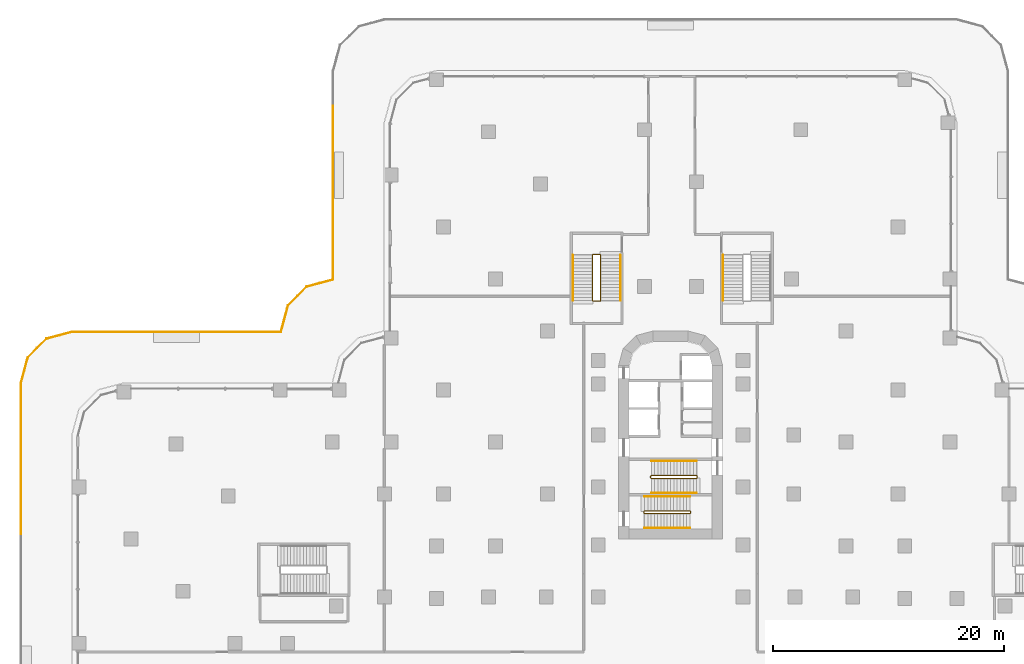
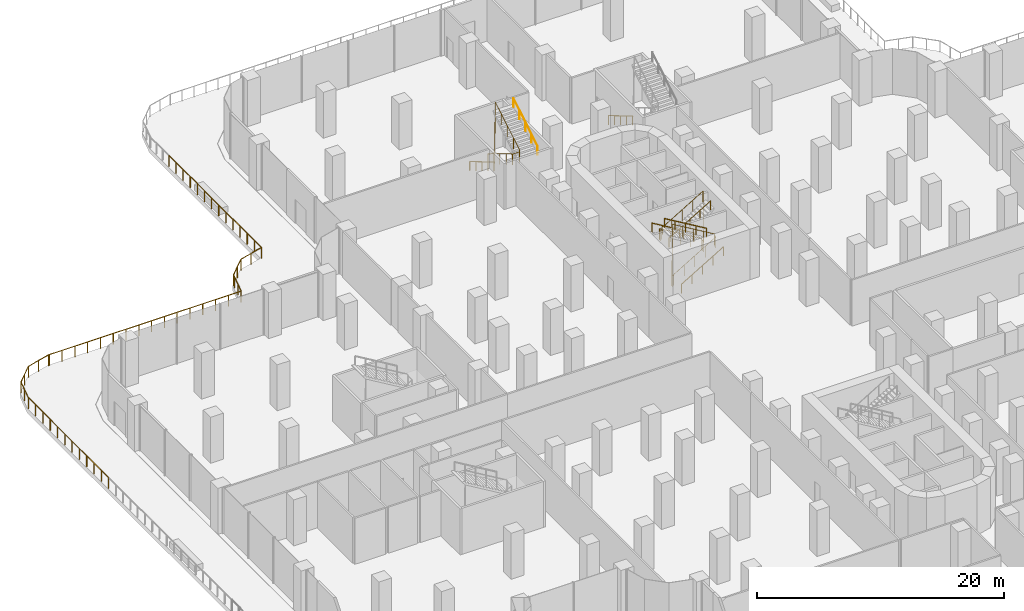
# One storey, part 27 of 30: 13 railings.
"""IFC4 building model written with IfcOpenShell, lengths in metres."""

from ifc_helpers import new_model, si_unit, direction, frame, origin, origin_2d, place, context, subcontext, project, spatial, circle, extrude, material, type_object, element, save


model = new_model("IFC4")

# Units and contexts
model_context = context("Model", 3, precision=1e-05, world=origin(), true_north=direction((0.0, 1.0)))
body_context = subcontext(model_context, "Body", "Model", "MODEL_VIEW")
ifc_project = project(units=[si_unit("LENGTHUNIT", "METRE"), si_unit("AREAUNIT", "SQUARE_METRE"), si_unit("VOLUMEUNIT", "CUBIC_METRE"), si_unit("PLANEANGLEUNIT", "RADIAN"), si_unit("MASSUNIT", "GRAM", prefix="KILO")], contexts=[model_context])

# Site, building, storey
site_placement = place(None, origin())
site = spatial("IfcSite", under=ifc_project, at=site_placement, CompositionType="ELEMENT")
building_placement = place(site_placement, origin())
building = spatial("IfcBuilding", under=site, at=building_placement, Name="Zarbagh Exchange Tower", CompositionType="ELEMENT")
storey_placement = place(building_placement, frame((0.0, 0.0, 7.0)))
storey = spatial("IfcBuildingStorey", under=building, at=storey_placement, Name="L01", CompositionType="ELEMENT", Elevation=7.0)

# Railings
ifc_material_1 = material(Name="Stainless steel", Category="steel")
railing_type_1 = type_object("IfcRailingType", Name="Stair guard 1100 mm", PredefinedType="GUARDRAIL", material=ifc_material_1)
railing_1_placement = place(storey_placement, frame((-1.669921875, 16.5, 2.666748046875)))
element("IfcRailing", 1, at=railing_1_placement, inside=storey, type_object=railing_type_1, Name="ST1 stair guard 1", PredefinedType="GUARDRAIL", context=body_context, shape_type="SweptSolid", body=[
    extrude(circle(Radius=0.02392578125, at=origin_2d()), frame((0.0, 0.0, 1.076171875), z_axis=(0.859296244711, 0.0, 0.511478214419), x_axis=(0.0, 1.0, 0.0)), (0.0, 0.0, 1.0), 4.561767578125),
    extrude(circle(Radius=0.02392578125, at=origin_2d()), frame((3.919921875, 0.0, 3.4091796875), z_axis=(0.010008762843, 0.010008762843, -0.999899819648), x_axis=(-0.707106781187, 0.707106781187, 0.0)), (0.0, 0.0, 1.0), 5.00048828125),
    extrude(circle(Radius=0.02392578125, at=origin_2d()), frame((3.969970703125, 0.050048828125, -1.5908203125), z_axis=(0.0, 1.0, 0.0), x_axis=(-1.0, 0.0, 0.0)), (0.0, 0.0, 1.0), 0.14990234375),
    extrude(circle(Radius=0.02392578125, at=origin_2d()), frame((3.969970703125, 0.199951171875, -1.5908203125), z_axis=(-0.27628659633, 0.27628659633, 0.920506074601), x_axis=(-0.707106781187, -0.707106781187, 0.0)), (0.0, 0.0, 1.0), 0.18115234375),
    extrude(circle(Radius=0.02392578125, at=origin_2d()), frame((3.919921875, 0.25, -1.423828125), z_axis=(-0.859296244711, 0.0, 0.511478214419), x_axis=(0.0, -1.0, 0.0)), (0.0, 0.0, 1.0), 4.561767578125),
    extrude(circle(Radius=0.02392578125, at=origin_2d()), frame((0.0, 0.25, 0.9091796875), z_axis=(-0.707106781187, -0.707106781187, 0.0), x_axis=(0.707106781187, -0.707106781187, 0.0)), (0.0, 0.0, 1.0), 0.07080078125),
    extrude(circle(Radius=0.02392578125, at=origin_2d()), frame((-0.050048828125, 0.199951171875, 0.9091796875), z_axis=(0.0, -1.0, 0.0), x_axis=(1.0, 0.0, 0.0)), (0.0, 0.0, 1.0), 0.14990234375),
    extrude(circle(Radius=0.02099609375, at=origin_2d()), origin(), (0.0, 0.0, 1.0), 1.052001953125),
    extrude(circle(Radius=0.02099609375, at=origin_2d()), frame((0.97998046875, 0.0, 0.583251953125)), (0.0, 0.0, 1.0), 1.052001953125),
    extrude(circle(Radius=0.02099609375, at=origin_2d()), frame((1.9599609375, 0.0, 1.16650390625)), (0.0, 0.0, 1.0), 1.052001953125),
    extrude(circle(Radius=0.02099609375, at=origin_2d()), frame((2.93994140625, 0.0, 1.75)), (0.0, 0.0, 1.0), 1.052001953125),
    extrude(circle(Radius=0.02099609375, at=origin_2d()), frame((3.919921875, 0.0, 2.333251953125)), (0.0, 0.0, 1.0), 1.052001953125),
    extrude(circle(Radius=0.02099609375, at=origin_2d()), frame((3.929931640625, 0.010009765625, 1.333251953125)), (0.0, 0.0, 1.0), 1.052001953125),
    extrude(circle(Radius=0.02099609375, at=origin_2d()), frame((3.93994140625, 0.02001953125, 0.333251953125)), (0.0, 0.0, 1.0), 1.052001953125),
    extrude(circle(Radius=0.02099609375, at=origin_2d()), frame((3.949951171875, 0.030029296875, -0.666748046875)), (0.0, 0.0, 1.0), 1.052001953125),
    extrude(circle(Radius=0.02099609375, at=origin_2d()), frame((3.9599609375, 0.0400390625, -1.666748046875)), (0.0, 0.0, 1.0), 1.052001953125),
    extrude(circle(Radius=0.02099609375, at=origin_2d()), frame((3.969970703125, 0.050048828125, -2.666748046875)), (0.0, 0.0, 1.0), 1.052001953125),
    extrude(circle(Radius=0.02099609375, at=origin_2d()), frame((3.969970703125, 0.199951171875, -2.666748046875)), (0.0, 0.0, 1.0), 1.052001953125),
    extrude(circle(Radius=0.02099609375, at=origin_2d()), frame((3.919921875, 0.25, -2.5)), (0.0, 0.0, 1.0), 1.052001953125),
    extrude(circle(Radius=0.02099609375, at=origin_2d()), frame((2.93994140625, 0.25, -1.916748046875)), (0.0, 0.0, 1.0), 1.052001953125),
    extrude(circle(Radius=0.02099609375, at=origin_2d()), frame((1.9599609375, 0.25, -1.33349609375)), (0.0, 0.0, 1.0), 1.052001953125),
    extrude(circle(Radius=0.02099609375, at=origin_2d()), frame((0.97998046875, 0.25, -0.75)), (0.0, 0.0, 1.0), 1.052001953125),
    extrude(circle(Radius=0.02099609375, at=origin_2d()), frame((0.0, 0.25, -0.166748046875)), (0.0, 0.0, 1.0), 1.052001953125),
    extrude(circle(Radius=0.02099609375, at=origin_2d()), frame((-0.050048828125, 0.199951171875, -0.166748046875)), (0.0, 0.0, 1.0), 1.052001953125),
    extrude(circle(Radius=0.02099609375, at=origin_2d()), frame((-0.050048828125, 0.050048828125, -0.166748046875)), (0.0, 0.0, 1.0), 1.052001953125),
])
railing_2_placement = place(storey_placement, frame((1.719970703125, 13.5, 2.5)))
element("IfcRailing", 2, at=railing_2_placement, inside=storey, type_object=railing_type_1, Name="ST2 stair guard 1", PredefinedType="GUARDRAIL", context=body_context, shape_type="SweptSolid", body=[
    extrude(circle(Radius=0.02392578125, at=origin_2d()), frame((0.0, 0.0, 1.076171875), z_axis=(0.0, 1.0, 0.0), x_axis=(-1.0, 0.0, 0.0)), (0.0, 0.0, 1.0), 0.14990234375),
    extrude(circle(Radius=0.02392578125, at=origin_2d()), frame((0.0, 0.14990234375, 1.076171875), z_axis=(-0.27628659633, 0.27628659633, 0.920506074601), x_axis=(-0.707106781187, -0.707106781187, 0.0)), (0.0, 0.0, 1.0), 0.18115234375),
    extrude(circle(Radius=0.02392578125, at=origin_2d()), frame((-0.050048828125, 0.199951171875, 1.24267578125), z_axis=(-0.859296244711, 0.0, 0.511478214419), x_axis=(0.0, -1.0, 0.0)), (0.0, 0.0, 1.0), 4.561767578125),
    extrude(circle(Radius=0.02392578125, at=origin_2d()), frame((-3.969970703125, 0.199951171875, 3.576171875), z_axis=(-0.010008762843, -0.010008762843, -0.999899819648), x_axis=(0.707106781187, -0.707106781187, 0.0)), (0.0, 0.0, 1.0), 5.00048828125),
    extrude(circle(Radius=0.02392578125, at=origin_2d()), frame((-4.02001953125, 0.14990234375, -1.423828125), z_axis=(0.0, -1.0, 0.0), x_axis=(1.0, 0.0, 0.0)), (0.0, 0.0, 1.0), 0.14990234375),
    extrude(circle(Radius=0.02392578125, at=origin_2d()), frame((-4.02001953125, 0.0, -1.423828125), z_axis=(0.27628659633, -0.27628659633, 0.920506074601), x_axis=(0.707106781187, 0.707106781187, 0.0)), (0.0, 0.0, 1.0), 0.18115234375),
    extrude(circle(Radius=0.02392578125, at=origin_2d()), frame((-3.969970703125, -0.050048828125, -1.25732421875), z_axis=(0.859296244711, 0.0, 0.511478214419), x_axis=(0.0, 1.0, 0.0)), (0.0, 0.0, 1.0), 4.561767578125),
    extrude(circle(Radius=0.02099609375, at=origin_2d()), origin(), (0.0, 0.0, 1.0), 1.052001953125),
    extrude(circle(Radius=0.02099609375, at=origin_2d()), frame((0.0, 0.14990234375, 0.0)), (0.0, 0.0, 1.0), 1.052001953125),
    extrude(circle(Radius=0.02099609375, at=origin_2d()), frame((-0.050048828125, 0.199951171875, 0.166748046875)), (0.0, 0.0, 1.0), 1.052001953125),
    extrude(circle(Radius=0.02099609375, at=origin_2d()), frame((-1.030029296875, 0.199951171875, 0.75)), (0.0, 0.0, 1.0), 1.052001953125),
    extrude(circle(Radius=0.02099609375, at=origin_2d()), frame((-2.010009765625, 0.199951171875, 1.33349609375)), (0.0, 0.0, 1.0), 1.052001953125),
    extrude(circle(Radius=0.02099609375, at=origin_2d()), frame((-2.989990234375, 0.199951171875, 1.916748046875)), (0.0, 0.0, 1.0), 1.052001953125),
    extrude(circle(Radius=0.02099609375, at=origin_2d()), frame((-3.969970703125, 0.199951171875, 2.5)), (0.0, 0.0, 1.0), 1.052001953125),
    extrude(circle(Radius=0.02099609375, at=origin_2d()), frame((-3.97998046875, 0.18994140625, 1.5)), (0.0, 0.0, 1.0), 1.052001953125),
    extrude(circle(Radius=0.02099609375, at=origin_2d()), frame((-3.989990234375, 0.179931640625, 0.5)), (0.0, 0.0, 1.0), 1.052001953125),
    extrude(circle(Radius=0.02099609375, at=origin_2d()), frame((-4.0, 0.169921875, -0.5)), (0.0, 0.0, 1.0), 1.052001953125),
    extrude(circle(Radius=0.02099609375, at=origin_2d()), frame((-4.010009765625, 0.159912109375, -1.5)), (0.0, 0.0, 1.0), 1.052001953125),
    extrude(circle(Radius=0.02099609375, at=origin_2d()), frame((-4.02001953125, 0.14990234375, -2.5)), (0.0, 0.0, 1.0), 1.052001953125),
    extrude(circle(Radius=0.02099609375, at=origin_2d()), frame((-4.02001953125, 0.0, -2.5)), (0.0, 0.0, 1.0), 1.052001953125),
    extrude(circle(Radius=0.02099609375, at=origin_2d()), frame((-3.969970703125, -0.050048828125, -2.333251953125)), (0.0, 0.0, 1.0), 1.052001953125),
    extrude(circle(Radius=0.02099609375, at=origin_2d()), frame((-2.989990234375, -0.050048828125, -1.75)), (0.0, 0.0, 1.0), 1.052001953125),
    extrude(circle(Radius=0.02099609375, at=origin_2d()), frame((-2.010009765625, -0.050048828125, -1.16650390625)), (0.0, 0.0, 1.0), 1.052001953125),
    extrude(circle(Radius=0.02099609375, at=origin_2d()), frame((-1.030029296875, -0.050048828125, -0.583251953125)), (0.0, 0.0, 1.0), 1.052001953125),
    extrude(circle(Radius=0.02099609375, at=origin_2d()), frame((-0.050048828125, -0.050048828125, 0.0)), (0.0, 0.0, 1.0), 1.052001953125),
])
railing_3_placement = place(storey_placement, frame((-6.75, 35.800048828125, 0.166748046875)))
element("IfcRailing", 3, at=railing_3_placement, inside=storey, type_object=railing_type_1, Name="PS1 stair guard 1", PredefinedType="GUARDRAIL", context=body_context, shape_type="SweptSolid", body=[
    extrude(circle(Radius=0.02392578125, at=origin_2d()), frame((0.0, 0.0, 1.076171875), z_axis=(0.0, -0.859310244771, 0.511454693235), x_axis=(1.0, 0.0, 0.0)), (0.0, 0.0, 1.0), 4.56201171875),
    extrude(circle(Radius=0.02392578125, at=origin_2d()), frame((0.0, -3.920166015625, 3.4091796875), z_axis=(0.708833529934, -0.705375805398, 0.0), x_axis=(0.705375805398, 0.708833529934, 0.0)), (0.0, 0.0, 1.0), 0.070556640625),
    extrude(circle(Radius=0.02392578125, at=origin_2d()), frame((0.050048828125, -3.969970703125, 3.4091796875), z_axis=(1.0, 0.0, 0.0), x_axis=(0.0, 1.0, 0.0)), (0.0, 0.0, 1.0), 0.599853515625),
    extrude(circle(Radius=0.02392578125, at=origin_2d()), frame((0.64990234375, -3.969970703125, 3.4091796875), z_axis=(0.276389281352, 0.275041040955, 0.920848191041), x_axis=(-0.705375805398, 0.708833529934, 0.0)), (0.0, 0.0, 1.0), 0.18115234375),
    extrude(circle(Radius=0.02392578125, at=origin_2d()), frame((0.699951171875, -3.920166015625, 3.576171875), z_axis=(0.0, 0.859310244771, 0.511454693235), x_axis=(-1.0, 0.0, 0.0)), (0.0, 0.0, 1.0), 4.56201171875),
    extrude(circle(Radius=0.02392578125, at=origin_2d()), frame((0.699951171875, 0.0, 5.9091796875), z_axis=(-0.010008762843, 0.010008762843, -0.999899819648), x_axis=(-0.707106781187, -0.707106781187, 0.0)), (0.0, 0.0, 1.0), 5.00048828125),
    extrude(circle(Radius=0.02392578125, at=origin_2d()), frame((0.64990234375, 0.050048828125, 0.9091796875), z_axis=(-1.0, 0.0, 0.0), x_axis=(0.0, -1.0, 0.0)), (0.0, 0.0, 1.0), 0.599853515625),
    extrude(circle(Radius=0.02099609375, at=origin_2d()), origin(), (0.0, 0.0, 1.0), 1.052001953125),
    extrude(circle(Radius=0.02099609375, at=origin_2d()), frame((0.0, -0.97998046875, 0.583251953125)), (0.0, 0.0, 1.0), 1.052001953125),
    extrude(circle(Radius=0.02099609375, at=origin_2d()), frame((0.0, -1.9599609375, 1.16650390625)), (0.0, 0.0, 1.0), 1.052001953125),
    extrude(circle(Radius=0.02099609375, at=origin_2d()), frame((0.0, -2.940185546875, 1.75)), (0.0, 0.0, 1.0), 1.052001953125),
    extrude(circle(Radius=0.02099609375, at=origin_2d()), frame((0.0, -3.920166015625, 2.333251953125)), (0.0, 0.0, 1.0), 1.052001953125),
    extrude(circle(Radius=0.02099609375, at=origin_2d()), frame((0.050048828125, -3.969970703125, 2.333251953125)), (0.0, 0.0, 1.0), 1.052001953125),
    extrude(circle(Radius=0.02099609375, at=origin_2d()), frame((0.64990234375, -3.969970703125, 2.333251953125)), (0.0, 0.0, 1.0), 1.052001953125),
    extrude(circle(Radius=0.02099609375, at=origin_2d()), frame((0.699951171875, -3.920166015625, 2.5)), (0.0, 0.0, 1.0), 1.052001953125),
    extrude(circle(Radius=0.02099609375, at=origin_2d()), frame((0.699951171875, -2.940185546875, 3.083251953125)), (0.0, 0.0, 1.0), 1.052001953125),
    extrude(circle(Radius=0.02099609375, at=origin_2d()), frame((0.699951171875, -1.9599609375, 3.66650390625)), (0.0, 0.0, 1.0), 1.052001953125),
    extrude(circle(Radius=0.02099609375, at=origin_2d()), frame((0.699951171875, -0.97998046875, 4.25)), (0.0, 0.0, 1.0), 1.052001953125),
    extrude(circle(Radius=0.02099609375, at=origin_2d()), frame((0.699951171875, 0.0, 4.833251953125)), (0.0, 0.0, 1.0), 1.052001953125),
    extrude(circle(Radius=0.02099609375, at=origin_2d()), frame((0.68994140625, 0.010009765625, 3.833251953125)), (0.0, 0.0, 1.0), 1.052001953125),
    extrude(circle(Radius=0.02099609375, at=origin_2d()), frame((0.679931640625, 0.02001953125, 2.833251953125)), (0.0, 0.0, 1.0), 1.052001953125),
    extrude(circle(Radius=0.02099609375, at=origin_2d()), frame((0.669921875, 0.030029296875, 1.833251953125)), (0.0, 0.0, 1.0), 1.052001953125),
    extrude(circle(Radius=0.02099609375, at=origin_2d()), frame((0.659912109375, 0.0400390625, 0.833251953125)), (0.0, 0.0, 1.0), 1.052001953125),
    extrude(circle(Radius=0.02099609375, at=origin_2d()), frame((0.64990234375, 0.050048828125, -0.166748046875)), (0.0, 0.0, 1.0), 1.052001953125),
    extrude(circle(Radius=0.02099609375, at=origin_2d()), frame((0.050048828125, 0.050048828125, -0.166748046875)), (0.0, 0.0, 1.0), 1.052001953125),
])
railing_type_2 = type_object("IfcRailingType", Name="Stair handrail 900 mm", PredefinedType="HANDRAIL", material=ifc_material_1)
railing_4_placement = place(storey_placement, frame((2.25, 18.0, 0.166748046875)))
element("IfcRailing", 4, at=railing_4_placement, inside=storey, type_object=railing_type_2, Name="ST1 stair handrail 1", PredefinedType="HANDRAIL", context=body_context, shape_type="SweptSolid", body=[
    extrude(circle(Radius=0.02392578125, at=origin_2d()), frame((0.0, 0.0, 0.8759765625), z_axis=(-0.859296244711, 0.0, 0.511478214419), x_axis=(0.0, -1.0, 0.0)), (0.0, 0.0, 1.0), 4.561767578125),
    extrude(circle(Radius=0.02099609375, at=origin_2d()), origin(), (0.0, 0.0, 1.0), 0.851806640625),
    extrude(circle(Radius=0.02099609375, at=origin_2d()), frame((-0.97998046875, 0.0, 0.583251953125)), (0.0, 0.0, 1.0), 0.851806640625),
    extrude(circle(Radius=0.02099609375, at=origin_2d()), frame((-1.9599609375, 0.0, 1.16650390625)), (0.0, 0.0, 1.0), 0.851806640625),
    extrude(circle(Radius=0.02099609375, at=origin_2d()), frame((-2.93994140625, 0.0, 1.75)), (0.0, 0.0, 1.0), 0.851806640625),
    extrude(circle(Radius=0.02099609375, at=origin_2d()), frame((-3.919921875, 0.0, 2.333251953125)), (0.0, 0.0, 1.0), 0.851806640625),
])
for number, where, name in (
    (5, (-1.669921875, 15.25, 2.666748046875), "ST1 stair handrail 2"),
    (6, (-2.25, 12.199951171875, 0.166748046875), "ST2 stair handrail 1"),
):
    element("IfcRailing", number, at=place(storey_placement, frame(where)), inside=storey, type_object=railing_type_2, Name=name, PredefinedType="HANDRAIL", context=body_context, shape_type="SweptSolid", body=[
        extrude(circle(Radius=0.02392578125, at=origin_2d()), frame((0.0, 0.0, 0.8759765625), z_axis=(0.859296244711, 0.0, 0.511478214419), x_axis=(0.0, 1.0, 0.0)), (0.0, 0.0, 1.0), 4.561767578125),
        extrude(circle(Radius=0.02099609375, at=origin_2d()), origin(), (0.0, 0.0, 1.0), 0.851806640625),
        extrude(circle(Radius=0.02099609375, at=origin_2d()), frame((0.97998046875, 0.0, 0.583251953125)), (0.0, 0.0, 1.0), 0.851806640625),
        extrude(circle(Radius=0.02099609375, at=origin_2d()), frame((1.9599609375, 0.0, 1.16650390625)), (0.0, 0.0, 1.0), 0.851806640625),
        extrude(circle(Radius=0.02099609375, at=origin_2d()), frame((2.93994140625, 0.0, 1.75)), (0.0, 0.0, 1.0), 0.851806640625),
        extrude(circle(Radius=0.02099609375, at=origin_2d()), frame((3.919921875, 0.0, 2.333251953125)), (0.0, 0.0, 1.0), 0.851806640625),
    ])
railing_5_placement = place(storey_placement, frame((1.669921875, 14.949951171875, 2.666748046875)))
element("IfcRailing", 7, at=railing_5_placement, inside=storey, type_object=railing_type_2, Name="ST2 stair handrail 2", PredefinedType="HANDRAIL", context=body_context, shape_type="SweptSolid", body=[
    extrude(circle(Radius=0.02392578125, at=origin_2d()), frame((0.0, 0.0, 0.8759765625), z_axis=(-0.859296244711, 0.0, 0.511478214419), x_axis=(0.0, -1.0, 0.0)), (0.0, 0.0, 1.0), 4.561767578125),
    extrude(circle(Radius=0.02099609375, at=origin_2d()), origin(), (0.0, 0.0, 1.0), 0.851806640625),
    extrude(circle(Radius=0.02099609375, at=origin_2d()), frame((-0.97998046875, 0.0, 0.583251953125)), (0.0, 0.0, 1.0), 0.851806640625),
    extrude(circle(Radius=0.02099609375, at=origin_2d()), frame((-1.9599609375, 0.0, 1.16650390625)), (0.0, 0.0, 1.0), 0.851806640625),
    extrude(circle(Radius=0.02099609375, at=origin_2d()), frame((-2.93994140625, 0.0, 1.75)), (0.0, 0.0, 1.0), 0.851806640625),
    extrude(circle(Radius=0.02099609375, at=origin_2d()), frame((-3.919921875, 0.0, 2.333251953125)), (0.0, 0.0, 1.0), 0.851806640625),
])
railing_6_placement = place(storey_placement, frame((-8.449951171875, 35.800048828125, 0.166748046875)))
element("IfcRailing", 8, at=railing_6_placement, inside=storey, type_object=railing_type_2, Name="PS1 stair handrail 1", PredefinedType="HANDRAIL", context=body_context, shape_type="SweptSolid", body=[
    extrude(circle(Radius=0.02392578125, at=origin_2d()), frame((0.0, 0.0, 0.8759765625), z_axis=(0.0, -0.859310244771, 0.511454693235), x_axis=(1.0, 0.0, 0.0)), (0.0, 0.0, 1.0), 4.56201171875),
    extrude(circle(Radius=0.02099609375, at=origin_2d()), origin(), (0.0, 0.0, 1.0), 0.851806640625),
    extrude(circle(Radius=0.02099609375, at=origin_2d()), frame((0.0, -0.97998046875, 0.583251953125)), (0.0, 0.0, 1.0), 0.851806640625),
    extrude(circle(Radius=0.02099609375, at=origin_2d()), frame((0.0, -1.9599609375, 1.16650390625)), (0.0, 0.0, 1.0), 0.851806640625),
    extrude(circle(Radius=0.02099609375, at=origin_2d()), frame((0.0, -2.940185546875, 1.75)), (0.0, 0.0, 1.0), 0.851806640625),
    extrude(circle(Radius=0.02099609375, at=origin_2d()), frame((0.0, -3.920166015625, 2.333251953125)), (0.0, 0.0, 1.0), 0.851806640625),
])
railing_7_placement = place(storey_placement, frame((-4.35009765625, 31.8798828125, 2.666748046875)))
element("IfcRailing", 9, at=railing_7_placement, inside=storey, type_object=railing_type_2, Name="PS1 stair handrail 2", PredefinedType="HANDRAIL", context=body_context, shape_type="SweptSolid", body=[
    extrude(circle(Radius=0.02392578125, at=origin_2d()), frame((0.0, 0.0, 0.8759765625), z_axis=(0.0, 0.859310244771, 0.511454693235), x_axis=(-1.0, 0.0, 0.0)), (0.0, 0.0, 1.0), 4.56201171875),
    extrude(circle(Radius=0.02099609375, at=origin_2d()), origin(), (0.0, 0.0, 1.0), 0.851806640625),
    extrude(circle(Radius=0.02099609375, at=origin_2d()), frame((0.0, 0.97998046875, 0.583251953125)), (0.0, 0.0, 1.0), 0.851806640625),
    extrude(circle(Radius=0.02099609375, at=origin_2d()), frame((0.0, 1.9599609375, 1.16650390625)), (0.0, 0.0, 1.0), 0.851806640625),
    extrude(circle(Radius=0.02099609375, at=origin_2d()), frame((0.0, 2.940185546875, 1.75)), (0.0, 0.0, 1.0), 0.851806640625),
    extrude(circle(Radius=0.02099609375, at=origin_2d()), frame((0.0, 3.920166015625, 2.333251953125)), (0.0, 0.0, 1.0), 0.851806640625),
])
railing_8_placement = place(storey_placement, frame((4.550048828125, 35.800048828125, 0.166748046875)))
element("IfcRailing", 10, at=railing_8_placement, inside=storey, type_object=railing_type_2, Name="PS2 stair handrail 1", PredefinedType="HANDRAIL", context=body_context, shape_type="SweptSolid", body=[
    extrude(circle(Radius=0.02392578125, at=origin_2d()), frame((0.0, 0.0, 0.8759765625), z_axis=(0.0, -0.859310244771, 0.511454693235), x_axis=(1.0, 0.0, 0.0)), (0.0, 0.0, 1.0), 4.56201171875),
    extrude(circle(Radius=0.02099609375, at=origin_2d()), origin(), (0.0, 0.0, 1.0), 0.851806640625),
    extrude(circle(Radius=0.02099609375, at=origin_2d()), frame((0.0, -0.97998046875, 0.583251953125)), (0.0, 0.0, 1.0), 0.851806640625),
    extrude(circle(Radius=0.02099609375, at=origin_2d()), frame((0.0, -1.9599609375, 1.16650390625)), (0.0, 0.0, 1.0), 0.851806640625),
    extrude(circle(Radius=0.02099609375, at=origin_2d()), frame((0.0, -2.940185546875, 1.75)), (0.0, 0.0, 1.0), 0.851806640625),
    extrude(circle(Radius=0.02099609375, at=origin_2d()), frame((0.0, -3.920166015625, 2.333251953125)), (0.0, 0.0, 1.0), 0.851806640625),
])
ifc_material_2 = material(Name="Stainless steel and laminated glass", Category="steel")
railing_type_3 = type_object("IfcRailingType", Name="Terrace guard, glass balustrade 1.1 m", PredefinedType="GUARDRAIL", material=ifc_material_2)
railing_9_placement = place(storey_placement, frame((-56.169921875, 11.711669921875, 0.0)))
element("IfcRailing", 11, at=railing_9_placement, inside=storey, type_object=railing_type_3, Name="TG01 terrace guard", PredefinedType="GUARDRAIL", context=body_context, shape_type="SweptSolid", body=[
    extrude(circle(Radius=0.02490234375, at=origin_2d()), frame((0.0, 0.0, 1.0751953125), z_axis=(0.0, 1.0, 0.0), x_axis=(-1.0, 0.0, 0.0)), (0.0, 0.0, 1.0), 13.02783203125),
    extrude(circle(Radius=0.02490234375, at=origin_2d()), frame((0.0, 13.02783203125, 1.0751953125), z_axis=(0.258780353152, 0.965936192935, 0.0), x_axis=(-0.965936192935, 0.258780353152, 0.0)), (0.0, 0.0, 1.0), 2.29736328125),
    extrude(circle(Radius=0.02490234375, at=origin_2d()), frame((0.594482421875, 15.246826171875, 1.0751953125), z_axis=(0.707106781187, 0.707106781187, 0.0), x_axis=(-0.707106781187, 0.707106781187, 0.0)), (0.0, 0.0, 1.0), 2.28662109375),
    extrude(circle(Radius=0.02490234375, at=origin_2d()), frame((2.21142578125, 16.86376953125, 1.0751953125), z_axis=(0.965936192935, 0.258780353152, 0.0), x_axis=(-0.258780353152, 0.965936192935, 0.0)), (0.0, 0.0, 1.0), 2.29736328125),
    extrude(circle(Radius=0.02490234375, at=origin_2d()), frame((4.430419921875, 17.458251953125, 1.0751953125), z_axis=(1.0, 0.0, 0.0), x_axis=(0.0, 1.0, 0.0)), (0.0, 0.0, 1.0), 0.0908203125),
    extrude(circle(Radius=0.02490234375, at=origin_2d()), origin(), (0.0, 0.0, 1.0), 1.050048828125),
    extrude(circle(Radius=0.02490234375, at=origin_2d()), frame((0.0, 1.184326171875, 0.0)), (0.0, 0.0, 1.0), 1.050048828125),
    extrude(circle(Radius=0.02490234375, at=origin_2d()), frame((0.0, 2.36865234375, 0.0)), (0.0, 0.0, 1.0), 1.050048828125),
    extrude(circle(Radius=0.02490234375, at=origin_2d()), frame((0.0, 3.552978515625, 0.0)), (0.0, 0.0, 1.0), 1.050048828125),
    extrude(circle(Radius=0.02490234375, at=origin_2d()), frame((0.0, 4.7373046875, 0.0)), (0.0, 0.0, 1.0), 1.050048828125),
    extrude(circle(Radius=0.02490234375, at=origin_2d()), frame((0.0, 5.921630859375, 0.0)), (0.0, 0.0, 1.0), 1.050048828125),
    extrude(circle(Radius=0.02490234375, at=origin_2d()), frame((0.0, 7.106201171875, 0.0)), (0.0, 0.0, 1.0), 1.050048828125),
    extrude(circle(Radius=0.02490234375, at=origin_2d()), frame((0.0, 8.29052734375, 0.0)), (0.0, 0.0, 1.0), 1.050048828125),
    extrude(circle(Radius=0.02490234375, at=origin_2d()), frame((0.0, 9.474853515625, 0.0)), (0.0, 0.0, 1.0), 1.050048828125),
    extrude(circle(Radius=0.02490234375, at=origin_2d()), frame((0.0, 10.6591796875, 0.0)), (0.0, 0.0, 1.0), 1.050048828125),
    extrude(circle(Radius=0.02490234375, at=origin_2d()), frame((0.0, 11.843505859375, 0.0)), (0.0, 0.0, 1.0), 1.050048828125),
    extrude(circle(Radius=0.02490234375, at=origin_2d()), frame((0.0, 13.02783203125, 0.0)), (0.0, 0.0, 1.0), 1.050048828125),
    extrude(circle(Radius=0.02490234375, at=origin_2d()), frame((0.29736328125, 14.13720703125, 0.0)), (0.0, 0.0, 1.0), 1.050048828125),
    extrude(circle(Radius=0.02490234375, at=origin_2d()), frame((0.594482421875, 15.246826171875, 0.0)), (0.0, 0.0, 1.0), 1.050048828125),
    extrude(circle(Radius=0.02490234375, at=origin_2d()), frame((1.40283203125, 16.05517578125, 0.0)), (0.0, 0.0, 1.0), 1.050048828125),
    extrude(circle(Radius=0.02490234375, at=origin_2d()), frame((2.21142578125, 16.86376953125, 0.0)), (0.0, 0.0, 1.0), 1.050048828125),
    extrude(circle(Radius=0.02490234375, at=origin_2d()), frame((3.32080078125, 17.1611328125, 0.0)), (0.0, 0.0, 1.0), 1.050048828125),
    extrude(circle(Radius=0.02490234375, at=origin_2d()), frame((4.430419921875, 17.458251953125, 0.0)), (0.0, 0.0, 1.0), 1.050048828125),
    extrude(circle(Radius=0.02490234375, at=origin_2d()), frame((4.521240234375, 17.458251953125, 0.0)), (0.0, 0.0, 1.0), 1.050048828125),
])
railing_10_placement = place(storey_placement, frame((-51.648681640625, 29.169921875, 0.0)))
element("IfcRailing", 12, at=railing_10_placement, inside=storey, type_object=railing_type_3, Name="TG01 terrace guard", PredefinedType="GUARDRAIL", context=body_context, shape_type="SweptSolid", body=[
    extrude(circle(Radius=0.02490234375, at=origin_2d()), frame((0.0, 0.0, 1.0751953125), z_axis=(1.0, 0.0, 0.0), x_axis=(0.0, 1.0, 0.0)), (0.0, 0.0, 1.0), 17.9599609375),
    extrude(circle(Radius=0.02490234375, at=origin_2d()), frame((17.9599609375, 0.0, 1.0751953125), z_axis=(0.258861706671, 0.965914394147, 0.0), x_axis=(-0.965914394147, 0.258861706671, 0.0)), (0.0, 0.0, 1.0), 2.0400390625),
    extrude(circle(Radius=0.02490234375, at=origin_2d()), origin(), (0.0, 0.0, 1.0), 1.050048828125),
    extrude(circle(Radius=0.02490234375, at=origin_2d()), frame((1.197265625, 0.0, 0.0)), (0.0, 0.0, 1.0), 1.050048828125),
    extrude(circle(Radius=0.02490234375, at=origin_2d()), frame((2.394775390625, 0.0, 0.0)), (0.0, 0.0, 1.0), 1.050048828125),
    extrude(circle(Radius=0.02490234375, at=origin_2d()), frame((3.592041015625, 0.0, 0.0)), (0.0, 0.0, 1.0), 1.050048828125),
    extrude(circle(Radius=0.02490234375, at=origin_2d()), frame((4.789306640625, 0.0, 0.0)), (0.0, 0.0, 1.0), 1.050048828125),
    extrude(circle(Radius=0.02490234375, at=origin_2d()), frame((5.986572265625, 0.0, 0.0)), (0.0, 0.0, 1.0), 1.050048828125),
    extrude(circle(Radius=0.02490234375, at=origin_2d()), frame((7.18408203125, 0.0, 0.0)), (0.0, 0.0, 1.0), 1.050048828125),
    extrude(circle(Radius=0.02490234375, at=origin_2d()), frame((8.38134765625, 0.0, 0.0)), (0.0, 0.0, 1.0), 1.050048828125),
    extrude(circle(Radius=0.02490234375, at=origin_2d()), frame((9.57861328125, 0.0, 0.0)), (0.0, 0.0, 1.0), 1.050048828125),
    extrude(circle(Radius=0.02490234375, at=origin_2d()), frame((10.77587890625, 0.0, 0.0)), (0.0, 0.0, 1.0), 1.050048828125),
    extrude(circle(Radius=0.02490234375, at=origin_2d()), frame((11.973388671875, 0.0, 0.0)), (0.0, 0.0, 1.0), 1.050048828125),
    extrude(circle(Radius=0.02490234375, at=origin_2d()), frame((13.170654296875, 0.0, 0.0)), (0.0, 0.0, 1.0), 1.050048828125),
    extrude(circle(Radius=0.02490234375, at=origin_2d()), frame((14.367919921875, 0.0, 0.0)), (0.0, 0.0, 1.0), 1.050048828125),
    extrude(circle(Radius=0.02490234375, at=origin_2d()), frame((15.565185546875, 0.0, 0.0)), (0.0, 0.0, 1.0), 1.050048828125),
    extrude(circle(Radius=0.02490234375, at=origin_2d()), frame((16.7626953125, 0.0, 0.0)), (0.0, 0.0, 1.0), 1.050048828125),
    extrude(circle(Radius=0.02490234375, at=origin_2d()), frame((17.9599609375, 0.0, 0.0)), (0.0, 0.0, 1.0), 1.050048828125),
    extrude(circle(Radius=0.02490234375, at=origin_2d()), frame((18.22412109375, 0.9853515625, 0.0)), (0.0, 0.0, 1.0), 1.050048828125),
    extrude(circle(Radius=0.02490234375, at=origin_2d()), frame((18.488037109375, 1.970458984375, 0.0)), (0.0, 0.0, 1.0), 1.050048828125),
])
railing_11_placement = place(storey_placement, frame((-33.16064453125, 31.140380859375, 0.0)))
element("IfcRailing", 13, at=railing_11_placement, inside=storey, type_object=railing_type_3, Name="TG01 terrace guard", PredefinedType="GUARDRAIL", context=body_context, shape_type="SweptSolid", body=[
    extrude(circle(Radius=0.02490234375, at=origin_2d()), frame((0.0, 0.0, 1.0751953125), z_axis=(0.2587237334, 0.965951359943, 0.0), x_axis=(-0.965951359943, 0.2587237334, 0.0)), (0.0, 0.0, 1.0), 0.329345703125),
    extrude(circle(Radius=0.02490234375, at=origin_2d()), frame((0.085205078125, 0.318115234375, 1.0751953125), z_axis=(0.707106781187, 0.707106781187, 0.0), x_axis=(-0.707106781187, 0.707106781187, 0.0)), (0.0, 0.0, 1.0), 2.28662109375),
    extrude(circle(Radius=0.02490234375, at=origin_2d()), frame((1.7021484375, 1.93505859375, 1.0751953125), z_axis=(0.965919533457, 0.258842529128, 0.0), x_axis=(-0.258842529128, 0.965919533457, 0.0)), (0.0, 0.0, 1.0), 2.369384765625),
    extrude(circle(Radius=0.02490234375, at=origin_2d()), frame((3.99072265625, 2.54833984375, 1.0751953125), z_axis=(0.0, 1.0, 0.0), x_axis=(-1.0, 0.0, 0.0)), (0.0, 0.0, 1.0), 15.0146484375),
    extrude(circle(Radius=0.02490234375, at=origin_2d()), origin(), (0.0, 0.0, 1.0), 1.050048828125),
    extrude(circle(Radius=0.02490234375, at=origin_2d()), frame((0.085205078125, 0.318115234375, 0.0)), (0.0, 0.0, 1.0), 1.050048828125),
    extrude(circle(Radius=0.02490234375, at=origin_2d()), frame((0.8935546875, 1.12646484375, 0.0)), (0.0, 0.0, 1.0), 1.050048828125),
    extrude(circle(Radius=0.02490234375, at=origin_2d()), frame((1.7021484375, 1.93505859375, 0.0)), (0.0, 0.0, 1.0), 1.050048828125),
    extrude(circle(Radius=0.02490234375, at=origin_2d()), frame((2.846435546875, 2.24169921875, 0.0)), (0.0, 0.0, 1.0), 1.050048828125),
    extrude(circle(Radius=0.02490234375, at=origin_2d()), frame((3.99072265625, 2.54833984375, 0.0)), (0.0, 0.0, 1.0), 1.050048828125),
    extrude(circle(Radius=0.02490234375, at=origin_2d()), frame((3.99072265625, 3.703369140625, 0.0)), (0.0, 0.0, 1.0), 1.050048828125),
    extrude(circle(Radius=0.02490234375, at=origin_2d()), frame((3.99072265625, 4.8583984375, 0.0)), (0.0, 0.0, 1.0), 1.050048828125),
    extrude(circle(Radius=0.02490234375, at=origin_2d()), frame((3.99072265625, 6.01318359375, 0.0)), (0.0, 0.0, 1.0), 1.050048828125),
    extrude(circle(Radius=0.02490234375, at=origin_2d()), frame((3.99072265625, 7.168212890625, 0.0)), (0.0, 0.0, 1.0), 1.050048828125),
    extrude(circle(Radius=0.02490234375, at=origin_2d()), frame((3.99072265625, 8.3232421875, 0.0)), (0.0, 0.0, 1.0), 1.050048828125),
    extrude(circle(Radius=0.02490234375, at=origin_2d()), frame((3.99072265625, 9.478271484375, 0.0)), (0.0, 0.0, 1.0), 1.050048828125),
    extrude(circle(Radius=0.02490234375, at=origin_2d()), frame((3.99072265625, 10.633056640625, 0.0)), (0.0, 0.0, 1.0), 1.050048828125),
    extrude(circle(Radius=0.02490234375, at=origin_2d()), frame((3.99072265625, 11.7880859375, 0.0)), (0.0, 0.0, 1.0), 1.050048828125),
    extrude(circle(Radius=0.02490234375, at=origin_2d()), frame((3.99072265625, 12.943115234375, 0.0)), (0.0, 0.0, 1.0), 1.050048828125),
    extrude(circle(Radius=0.02490234375, at=origin_2d()), frame((3.99072265625, 14.09814453125, 0.0)), (0.0, 0.0, 1.0), 1.050048828125),
    extrude(circle(Radius=0.02490234375, at=origin_2d()), frame((3.99072265625, 15.2529296875, 0.0)), (0.0, 0.0, 1.0), 1.050048828125),
    extrude(circle(Radius=0.02490234375, at=origin_2d()), frame((3.99072265625, 16.407958984375, 0.0)), (0.0, 0.0, 1.0), 1.050048828125),
    extrude(circle(Radius=0.02490234375, at=origin_2d()), frame((3.99072265625, 17.56298828125, 0.0)), (0.0, 0.0, 1.0), 1.050048828125),
])

save(model, "model.ifc")
